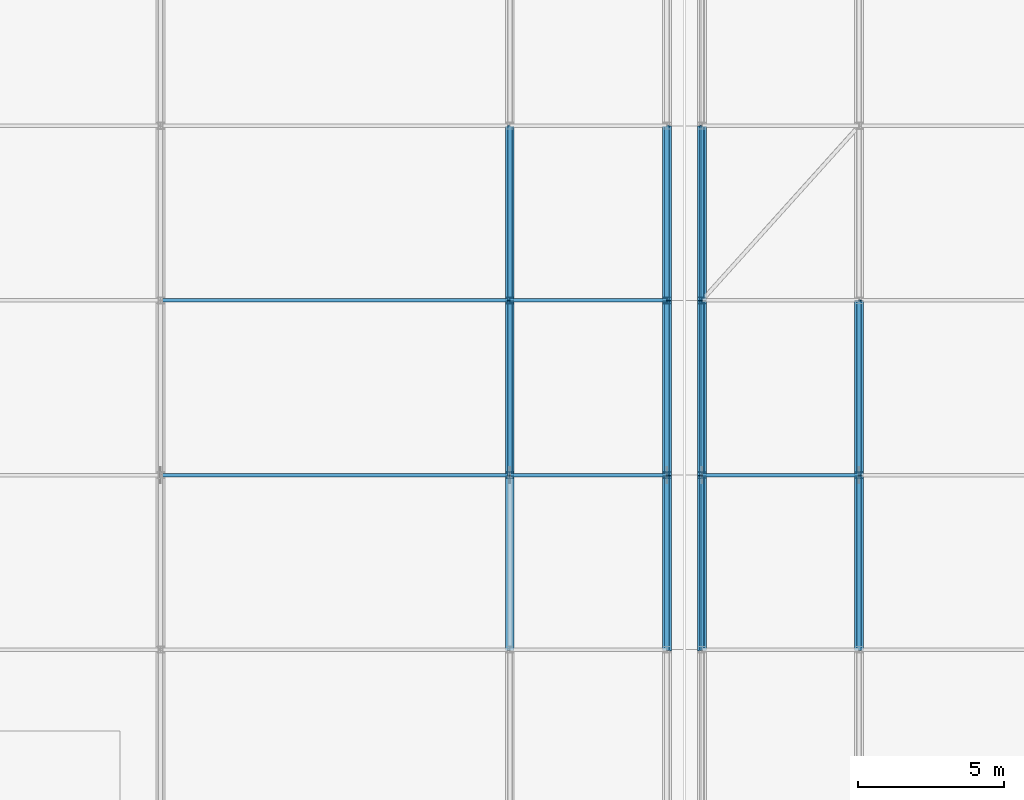
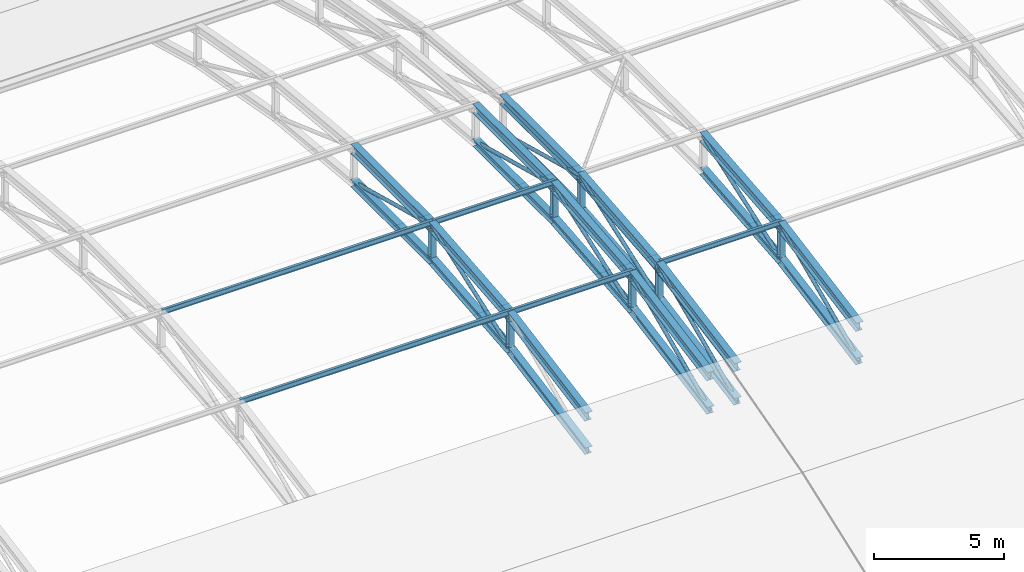
# One storey, part 96 of 204: 44 members.
"""IFC4 building model written with IfcOpenShell, lengths in metres."""

from ifc_helpers import new_model, si_unit, direction, frame, origin, origin_2d, place, context, subcontext, project, spatial, hollow_circle, i_section, extrude, material, material_profile, profile_set, type_object, element, save


model = new_model("IFC4")

# Units and contexts
model_context = context("Model", 3, precision=1e-05, world=origin(), true_north=direction((0.0, 1.0)))
body_context = subcontext(model_context, "Body", "Model", "MODEL_VIEW")
ifc_project = project(units=[si_unit("LENGTHUNIT", "METRE"), si_unit("AREAUNIT", "SQUARE_METRE"), si_unit("VOLUMEUNIT", "CUBIC_METRE"), si_unit("PLANEANGLEUNIT", "RADIAN"), si_unit("MASSUNIT", "GRAM", prefix="KILO")], contexts=[model_context])

# Site, building, storey
site_placement = place(None, origin())
site = spatial("IfcSite", under=ifc_project, at=site_placement, CompositionType="ELEMENT")
building_placement = place(site_placement, origin())
building = spatial("IfcBuilding", under=site, at=building_placement, Name="Zilviju Railside Exhibition Hall", CompositionType="ELEMENT")
storey_placement = place(building_placement, frame((0.0, 0.0, 21.0)))
storey = spatial("IfcBuildingStorey", under=building, at=storey_placement, Name="RF", CompositionType="ELEMENT", Elevation=21.0)

# Members
ifc_material = material(Name="Steel S355J2", Category="steel")
ifc_material_profile_1 = material_profile(ifc_material, hollow_circle(Radius=0.084228515625, WallThickness=0.008056640625, at=origin_2d()), Name="CHS 168.3x8.0")
ifc_profile_set_1 = profile_set([ifc_material_profile_1], Name="Steel S355J2")
member_type_1 = type_object("IfcMemberType", Name="TR-BR-CHS168", PredefinedType="BRACE", material=ifc_profile_set_1)
member_1_placement = place(storey_placement, frame((168.0, 18.0, -2.822265625), z_axis=(0.0, 0.94123307508, 0.337757751023), x_axis=(-1.0, 0.0, 0.0)))
element("IfcMember", 1, at=member_1_placement, inside=storey, type_object=member_type_1, Name="V1 Parabolic Arch Web Diagonal X=168.0 P4", PredefinedType="BRACE", context=body_context, shape_type="SweptSolid", body=[
    extrude(hollow_circle(Radius=0.084228515625, WallThickness=0.008056640625, at=origin_2d()), origin(), (0.0, 0.0, 1.0), 6.37451171875),
])
member_2_placement = place(storey_placement, frame((168.0, 24.0, -0.669189453125), z_axis=(0.0, 0.966240812345, -0.257640626762), x_axis=(-1.0, 0.0, 0.0)))
element("IfcMember", 2, at=member_2_placement, inside=storey, type_object=member_type_1, Name="V1 Parabolic Arch Web Diagonal X=168.0 P5", PredefinedType="BRACE", context=body_context, shape_type="SweptSolid", body=[
    extrude(hollow_circle(Radius=0.084228515625, WallThickness=0.008056640625, at=origin_2d()), origin(), (0.0, 0.0, 1.0), 6.209716796875),
])
member_3_placement = place(storey_placement, frame((173.39990234375, 12.0, -3.928466796875), z_axis=(0.0, 0.911563042822, 0.411160332425), x_axis=(-1.0, 0.0, 0.0)))
element("IfcMember", 3, at=member_3_placement, inside=storey, type_object=member_type_1, Name="V1 Parabolic Arch Web Diagonal X=173.4 P3", PredefinedType="BRACE", context=body_context, shape_type="SweptSolid", body=[
    extrude(hollow_circle(Radius=0.084228515625, WallThickness=0.008056640625, at=origin_2d()), origin(), (0.0, 0.0, 1.0), 6.58203125),
])
member_4_placement = place(storey_placement, frame((173.39990234375, 18.0, -2.822265625), z_axis=(0.0, 0.94123307508, 0.337757751023), x_axis=(-1.0, 0.0, 0.0)))
element("IfcMember", 4, at=member_4_placement, inside=storey, type_object=member_type_1, Name="V1 Parabolic Arch Web Diagonal X=173.4 P4", PredefinedType="BRACE", context=body_context, shape_type="SweptSolid", body=[
    extrude(hollow_circle(Radius=0.084228515625, WallThickness=0.008056640625, at=origin_2d()), origin(), (0.0, 0.0, 1.0), 6.37451171875),
])
member_5_placement = place(storey_placement, frame((173.39990234375, 24.0, -0.669189453125), z_axis=(0.0, 0.966240812345, -0.257640626762), x_axis=(-1.0, 0.0, 0.0)))
element("IfcMember", 5, at=member_5_placement, inside=storey, type_object=member_type_1, Name="V1 Parabolic Arch Web Diagonal X=173.4 P5", PredefinedType="BRACE", context=body_context, shape_type="SweptSolid", body=[
    extrude(hollow_circle(Radius=0.084228515625, WallThickness=0.008056640625, at=origin_2d()), origin(), (0.0, 0.0, 1.0), 6.209716796875),
])
member_6_placement = place(storey_placement, frame((174.60009765625, 12.0, -3.928466796875), z_axis=(0.0, 0.911563042822, 0.411160332425), x_axis=(-1.0, 0.0, 0.0)))
element("IfcMember", 6, at=member_6_placement, inside=storey, type_object=member_type_1, Name="V1 Parabolic Arch Web Diagonal X=174.6 P3", PredefinedType="BRACE", context=body_context, shape_type="SweptSolid", body=[
    extrude(hollow_circle(Radius=0.084228515625, WallThickness=0.008056640625, at=origin_2d()), origin(), (0.0, 0.0, 1.0), 6.58203125),
])
member_7_placement = place(storey_placement, frame((174.60009765625, 18.0, -2.822265625), z_axis=(0.0, 0.94123307508, 0.337757751023), x_axis=(-1.0, 0.0, 0.0)))
element("IfcMember", 7, at=member_7_placement, inside=storey, type_object=member_type_1, Name="V1 Parabolic Arch Web Diagonal X=174.6 P4", PredefinedType="BRACE", context=body_context, shape_type="SweptSolid", body=[
    extrude(hollow_circle(Radius=0.084228515625, WallThickness=0.008056640625, at=origin_2d()), origin(), (0.0, 0.0, 1.0), 6.37451171875),
])
member_8_placement = place(storey_placement, frame((174.60009765625, 24.0, -0.669189453125), z_axis=(0.0, 0.966240812345, -0.257640626762), x_axis=(-1.0, 0.0, 0.0)))
element("IfcMember", 8, at=member_8_placement, inside=storey, type_object=member_type_1, Name="V1 Parabolic Arch Web Diagonal X=174.6 P5", PredefinedType="BRACE", context=body_context, shape_type="SweptSolid", body=[
    extrude(hollow_circle(Radius=0.084228515625, WallThickness=0.008056640625, at=origin_2d()), origin(), (0.0, 0.0, 1.0), 6.209716796875),
])
member_9_placement = place(storey_placement, frame((180.0, 12.0, -3.928466796875), z_axis=(0.0, 0.911563042822, 0.411160332425), x_axis=(-1.0, 0.0, 0.0)))
element("IfcMember", 9, at=member_9_placement, inside=storey, type_object=member_type_1, Name="V1 Parabolic Arch Web Diagonal X=180.0 P3", PredefinedType="BRACE", context=body_context, shape_type="SweptSolid", body=[
    extrude(hollow_circle(Radius=0.084228515625, WallThickness=0.008056640625, at=origin_2d()), origin(), (0.0, 0.0, 1.0), 6.58203125),
])
member_10_placement = place(storey_placement, frame((180.0, 18.0, -2.822265625), z_axis=(0.0, 0.94123307508, 0.337757751023), x_axis=(-1.0, 0.0, 0.0)))
element("IfcMember", 10, at=member_10_placement, inside=storey, type_object=member_type_1, Name="V1 Parabolic Arch Web Diagonal X=180.0 P4", PredefinedType="BRACE", context=body_context, shape_type="SweptSolid", body=[
    extrude(hollow_circle(Radius=0.084228515625, WallThickness=0.008056640625, at=origin_2d()), origin(), (0.0, 0.0, 1.0), 6.37451171875),
])
ifc_material_profile_2 = material_profile(ifc_material, i_section(OverallWidth=0.300048828125, OverallDepth=0.360107421875, WebThickness=0.012451171875, FlangeThickness=0.0224609375, at=origin_2d()), Name="HEB 360")
ifc_profile_set_2 = profile_set([ifc_material_profile_2], Name="Steel S355J2")
member_type_2 = type_object("IfcMemberType", Name="TR-CH-HEB360", PredefinedType="CHORD", material=ifc_profile_set_2)
member_11_placement = place(storey_placement, frame((168.0, 12.0, -3.928466796875), z_axis=(0.0, 0.98342578549, 0.18131112606), x_axis=(-1.0, 0.0, 0.0)))
element("IfcMember", 11, at=member_11_placement, inside=storey, type_object=member_type_2, Name="V1 Parabolic Arch Bottom Chord X=168.0 P3", PredefinedType="CHORD", context=body_context, shape_type="SweptSolid", body=[
    extrude(i_section(OverallWidth=0.300048828125, OverallDepth=0.360107421875, WebThickness=0.012451171875, FlangeThickness=0.0224609375, at=origin_2d()), origin(), (0.0, 0.0, 1.0), 6.10107421875),
])
member_12_placement = place(storey_placement, frame((168.0, 18.0, -2.822265625), z_axis=(0.0, 0.995776144786, 0.091814320641), x_axis=(-1.0, 0.0, 0.0)))
element("IfcMember", 12, at=member_12_placement, inside=storey, type_object=member_type_2, Name="V1 Parabolic Arch Bottom Chord X=168.0 P4", PredefinedType="CHORD", context=body_context, shape_type="SweptSolid", body=[
    extrude(i_section(OverallWidth=0.300048828125, OverallDepth=0.360107421875, WebThickness=0.012451171875, FlangeThickness=0.0224609375, at=origin_2d()), origin(), (0.0, 0.0, 1.0), 6.025390625),
])
member_13_placement = place(storey_placement, frame((168.0, 24.0, -2.26904296875), z_axis=(0.0, 1.0, 0.0), x_axis=(-1.0, 0.0, 0.0)))
element("IfcMember", 13, at=member_13_placement, inside=storey, type_object=member_type_2, Name="V1 Parabolic Arch Bottom Chord X=168.0 P5", PredefinedType="CHORD", context=body_context, shape_type="SweptSolid", body=[
    extrude(i_section(OverallWidth=0.300048828125, OverallDepth=0.360107421875, WebThickness=0.012451171875, FlangeThickness=0.0224609375, at=origin_2d()), origin(), (0.0, 0.0, 1.0), 6.0),
])
member_14_placement = place(storey_placement, frame((173.39990234375, 12.0, -3.928466796875), z_axis=(0.0, 0.98342578549, 0.18131112606), x_axis=(-1.0, 0.0, 0.0)))
element("IfcMember", 14, at=member_14_placement, inside=storey, type_object=member_type_2, Name="V1 Parabolic Arch Bottom Chord X=173.4 P3", PredefinedType="CHORD", context=body_context, shape_type="SweptSolid", body=[
    extrude(i_section(OverallWidth=0.300048828125, OverallDepth=0.360107421875, WebThickness=0.012451171875, FlangeThickness=0.0224609375, at=origin_2d()), origin(), (0.0, 0.0, 1.0), 6.10107421875),
])
member_15_placement = place(storey_placement, frame((173.39990234375, 18.0, -2.822265625), z_axis=(0.0, 0.995776144786, 0.091814320641), x_axis=(-1.0, 0.0, 0.0)))
element("IfcMember", 15, at=member_15_placement, inside=storey, type_object=member_type_2, Name="V1 Parabolic Arch Bottom Chord X=173.4 P4", PredefinedType="CHORD", context=body_context, shape_type="SweptSolid", body=[
    extrude(i_section(OverallWidth=0.300048828125, OverallDepth=0.360107421875, WebThickness=0.012451171875, FlangeThickness=0.0224609375, at=origin_2d()), origin(), (0.0, 0.0, 1.0), 6.025390625),
])
member_16_placement = place(storey_placement, frame((173.39990234375, 24.0, -2.26904296875), z_axis=(0.0, 1.0, 0.0), x_axis=(-1.0, 0.0, 0.0)))
element("IfcMember", 16, at=member_16_placement, inside=storey, type_object=member_type_2, Name="V1 Parabolic Arch Bottom Chord X=173.4 P5", PredefinedType="CHORD", context=body_context, shape_type="SweptSolid", body=[
    extrude(i_section(OverallWidth=0.300048828125, OverallDepth=0.360107421875, WebThickness=0.012451171875, FlangeThickness=0.0224609375, at=origin_2d()), origin(), (0.0, 0.0, 1.0), 6.0),
])
member_17_placement = place(storey_placement, frame((174.60009765625, 12.0, -3.928466796875), z_axis=(0.0, 0.98342578549, 0.18131112606), x_axis=(-1.0, 0.0, 0.0)))
element("IfcMember", 17, at=member_17_placement, inside=storey, type_object=member_type_2, Name="V1 Parabolic Arch Bottom Chord X=174.6 P3", PredefinedType="CHORD", context=body_context, shape_type="SweptSolid", body=[
    extrude(i_section(OverallWidth=0.300048828125, OverallDepth=0.360107421875, WebThickness=0.012451171875, FlangeThickness=0.0224609375, at=origin_2d()), origin(), (0.0, 0.0, 1.0), 6.10107421875),
])
member_18_placement = place(storey_placement, frame((174.60009765625, 18.0, -2.822265625), z_axis=(0.0, 0.995776144786, 0.091814320641), x_axis=(-1.0, 0.0, 0.0)))
element("IfcMember", 18, at=member_18_placement, inside=storey, type_object=member_type_2, Name="V1 Parabolic Arch Bottom Chord X=174.6 P4", PredefinedType="CHORD", context=body_context, shape_type="SweptSolid", body=[
    extrude(i_section(OverallWidth=0.300048828125, OverallDepth=0.360107421875, WebThickness=0.012451171875, FlangeThickness=0.0224609375, at=origin_2d()), origin(), (0.0, 0.0, 1.0), 6.025390625),
])
member_19_placement = place(storey_placement, frame((174.60009765625, 24.0, -2.26904296875), z_axis=(0.0, 1.0, 0.0), x_axis=(-1.0, 0.0, 0.0)))
element("IfcMember", 19, at=member_19_placement, inside=storey, type_object=member_type_2, Name="V1 Parabolic Arch Bottom Chord X=174.6 P5", PredefinedType="CHORD", context=body_context, shape_type="SweptSolid", body=[
    extrude(i_section(OverallWidth=0.300048828125, OverallDepth=0.360107421875, WebThickness=0.012451171875, FlangeThickness=0.0224609375, at=origin_2d()), origin(), (0.0, 0.0, 1.0), 6.0),
])
member_20_placement = place(storey_placement, frame((180.0, 12.0, -3.928466796875), z_axis=(0.0, 0.98342578549, 0.18131112606), x_axis=(-1.0, 0.0, 0.0)))
element("IfcMember", 20, at=member_20_placement, inside=storey, type_object=member_type_2, Name="V1 Parabolic Arch Bottom Chord X=180.0 P3", PredefinedType="CHORD", context=body_context, shape_type="SweptSolid", body=[
    extrude(i_section(OverallWidth=0.300048828125, OverallDepth=0.360107421875, WebThickness=0.012451171875, FlangeThickness=0.0224609375, at=origin_2d()), origin(), (0.0, 0.0, 1.0), 6.10107421875),
])
member_21_placement = place(storey_placement, frame((180.0, 18.0, -2.822265625), z_axis=(0.0, 0.995776144786, 0.091814320641), x_axis=(-1.0, 0.0, 0.0)))
element("IfcMember", 21, at=member_21_placement, inside=storey, type_object=member_type_2, Name="V1 Parabolic Arch Bottom Chord X=180.0 P4", PredefinedType="CHORD", context=body_context, shape_type="SweptSolid", body=[
    extrude(i_section(OverallWidth=0.300048828125, OverallDepth=0.360107421875, WebThickness=0.012451171875, FlangeThickness=0.0224609375, at=origin_2d()), origin(), (0.0, 0.0, 1.0), 6.025390625),
])
ifc_material_profile_3 = material_profile(ifc_material, i_section(OverallWidth=0.300048828125, OverallDepth=0.449951171875, WebThickness=0.013916015625, FlangeThickness=0.02587890625, at=origin_2d()), Name="HEB 450")
ifc_profile_set_3 = profile_set([ifc_material_profile_3], Name="Steel S355J2")
member_type_3 = type_object("IfcMemberType", Name="TR-CH-HEB450", PredefinedType="CHORD", material=ifc_profile_set_3)
member_22_placement = place(storey_placement, frame((168.0, 12.0, -2.328369140625), z_axis=(0.0, 0.98342578549, 0.18131112606), x_axis=(-1.0, 0.0, 0.0)))
element("IfcMember", 22, at=member_22_placement, inside=storey, type_object=member_type_3, Name="V1 Parabolic Arch Top Chord X=168.0 P3", PredefinedType="CHORD", context=body_context, shape_type="SweptSolid", body=[
    extrude(i_section(OverallWidth=0.300048828125, OverallDepth=0.449951171875, WebThickness=0.013916015625, FlangeThickness=0.02587890625, at=origin_2d()), origin(), (0.0, 0.0, 1.0), 6.10107421875),
])
member_23_placement = place(storey_placement, frame((168.0, 18.0, -1.22216796875), z_axis=(0.0, 0.99577984843, 0.091774143746), x_axis=(-1.0, 0.0, 0.0)))
element("IfcMember", 23, at=member_23_placement, inside=storey, type_object=member_type_3, Name="V1 Parabolic Arch Top Chord X=168.0 P4", PredefinedType="CHORD", context=body_context, shape_type="SweptSolid", body=[
    extrude(i_section(OverallWidth=0.300048828125, OverallDepth=0.449951171875, WebThickness=0.013916015625, FlangeThickness=0.02587890625, at=origin_2d()), origin(), (0.0, 0.0, 1.0), 6.025390625),
])
member_24_placement = place(storey_placement, frame((168.0, 24.0, -0.669189453125), z_axis=(0.0, 1.0, 0.0), x_axis=(-1.0, 0.0, 0.0)))
element("IfcMember", 24, at=member_24_placement, inside=storey, type_object=member_type_3, Name="V1 Parabolic Arch Top Chord X=168.0 P5", PredefinedType="CHORD", context=body_context, shape_type="SweptSolid", body=[
    extrude(i_section(OverallWidth=0.300048828125, OverallDepth=0.449951171875, WebThickness=0.013916015625, FlangeThickness=0.02587890625, at=origin_2d()), origin(), (0.0, 0.0, 1.0), 6.0),
])
member_25_placement = place(storey_placement, frame((173.39990234375, 12.0, -2.328369140625), z_axis=(0.0, 0.98342578549, 0.18131112606), x_axis=(-1.0, 0.0, 0.0)))
element("IfcMember", 25, at=member_25_placement, inside=storey, type_object=member_type_3, Name="V1 Parabolic Arch Top Chord X=173.4 P3", PredefinedType="CHORD", context=body_context, shape_type="SweptSolid", body=[
    extrude(i_section(OverallWidth=0.300048828125, OverallDepth=0.449951171875, WebThickness=0.013916015625, FlangeThickness=0.02587890625, at=origin_2d()), origin(), (0.0, 0.0, 1.0), 6.10107421875),
])
member_26_placement = place(storey_placement, frame((173.39990234375, 18.0, -1.22216796875), z_axis=(0.0, 0.99577984843, 0.091774143746), x_axis=(-1.0, 0.0, 0.0)))
element("IfcMember", 26, at=member_26_placement, inside=storey, type_object=member_type_3, Name="V1 Parabolic Arch Top Chord X=173.4 P4", PredefinedType="CHORD", context=body_context, shape_type="SweptSolid", body=[
    extrude(i_section(OverallWidth=0.300048828125, OverallDepth=0.449951171875, WebThickness=0.013916015625, FlangeThickness=0.02587890625, at=origin_2d()), origin(), (0.0, 0.0, 1.0), 6.025390625),
])
member_27_placement = place(storey_placement, frame((173.39990234375, 24.0, -0.669189453125), z_axis=(0.0, 1.0, 0.0), x_axis=(-1.0, 0.0, 0.0)))
element("IfcMember", 27, at=member_27_placement, inside=storey, type_object=member_type_3, Name="V1 Parabolic Arch Top Chord X=173.4 P5", PredefinedType="CHORD", context=body_context, shape_type="SweptSolid", body=[
    extrude(i_section(OverallWidth=0.300048828125, OverallDepth=0.449951171875, WebThickness=0.013916015625, FlangeThickness=0.02587890625, at=origin_2d()), origin(), (0.0, 0.0, 1.0), 6.0),
])
member_28_placement = place(storey_placement, frame((174.60009765625, 12.0, -2.328369140625), z_axis=(0.0, 0.98342578549, 0.18131112606), x_axis=(-1.0, 0.0, 0.0)))
element("IfcMember", 28, at=member_28_placement, inside=storey, type_object=member_type_3, Name="V1 Parabolic Arch Top Chord X=174.6 P3", PredefinedType="CHORD", context=body_context, shape_type="SweptSolid", body=[
    extrude(i_section(OverallWidth=0.300048828125, OverallDepth=0.449951171875, WebThickness=0.013916015625, FlangeThickness=0.02587890625, at=origin_2d()), origin(), (0.0, 0.0, 1.0), 6.10107421875),
])
member_29_placement = place(storey_placement, frame((174.60009765625, 18.0, -1.22216796875), z_axis=(0.0, 0.99577984843, 0.091774143746), x_axis=(-1.0, 0.0, 0.0)))
element("IfcMember", 29, at=member_29_placement, inside=storey, type_object=member_type_3, Name="V1 Parabolic Arch Top Chord X=174.6 P4", PredefinedType="CHORD", context=body_context, shape_type="SweptSolid", body=[
    extrude(i_section(OverallWidth=0.300048828125, OverallDepth=0.449951171875, WebThickness=0.013916015625, FlangeThickness=0.02587890625, at=origin_2d()), origin(), (0.0, 0.0, 1.0), 6.025390625),
])
member_30_placement = place(storey_placement, frame((174.60009765625, 24.0, -0.669189453125), z_axis=(0.0, 1.0, 0.0), x_axis=(-1.0, 0.0, 0.0)))
element("IfcMember", 30, at=member_30_placement, inside=storey, type_object=member_type_3, Name="V1 Parabolic Arch Top Chord X=174.6 P5", PredefinedType="CHORD", context=body_context, shape_type="SweptSolid", body=[
    extrude(i_section(OverallWidth=0.300048828125, OverallDepth=0.449951171875, WebThickness=0.013916015625, FlangeThickness=0.02587890625, at=origin_2d()), origin(), (0.0, 0.0, 1.0), 6.0),
])
member_31_placement = place(storey_placement, frame((180.0, 12.0, -2.328369140625), z_axis=(0.0, 0.98342578549, 0.18131112606), x_axis=(-1.0, 0.0, 0.0)))
element("IfcMember", 31, at=member_31_placement, inside=storey, type_object=member_type_3, Name="V1 Parabolic Arch Top Chord X=180.0 P3", PredefinedType="CHORD", context=body_context, shape_type="SweptSolid", body=[
    extrude(i_section(OverallWidth=0.300048828125, OverallDepth=0.449951171875, WebThickness=0.013916015625, FlangeThickness=0.02587890625, at=origin_2d()), origin(), (0.0, 0.0, 1.0), 6.10107421875),
])
member_32_placement = place(storey_placement, frame((180.0, 18.0, -1.22216796875), z_axis=(0.0, 0.99577984843, 0.091774143746), x_axis=(-1.0, 0.0, 0.0)))
element("IfcMember", 32, at=member_32_placement, inside=storey, type_object=member_type_3, Name="V1 Parabolic Arch Top Chord X=180.0 P4", PredefinedType="CHORD", context=body_context, shape_type="SweptSolid", body=[
    extrude(i_section(OverallWidth=0.300048828125, OverallDepth=0.449951171875, WebThickness=0.013916015625, FlangeThickness=0.02587890625, at=origin_2d()), origin(), (0.0, 0.0, 1.0), 6.025390625),
])
ifc_material_profile_4 = material_profile(ifc_material, i_section(OverallWidth=0.239990234375, OverallDepth=0.22998046875, WebThickness=0.007568359375, FlangeThickness=0.011962890625, at=origin_2d()), Name="HEA 240")
ifc_profile_set_4 = profile_set([ifc_material_profile_4], Name="Steel S355J2")
member_type_4 = type_object("IfcMemberType", Name="TR-POST-HEA240", PredefinedType="POST", material=ifc_profile_set_4)
member_33_placement = place(storey_placement, frame((168.0, 18.0, -2.822265625), z_axis=(0.0, 0.0, 1.0), x_axis=(1.0, 0.0, 0.0)))
element("IfcMember", 33, at=member_33_placement, inside=storey, type_object=member_type_4, Name="V1 Parabolic Arch Web Post X=168.0 N3", PredefinedType="POST", context=body_context, shape_type="SweptSolid", body=[
    extrude(i_section(OverallWidth=0.239990234375, OverallDepth=0.22998046875, WebThickness=0.007568359375, FlangeThickness=0.011962890625, at=origin_2d()), origin(), (0.0, 0.0, 1.0), 1.60009765625),
])
member_34_placement = place(storey_placement, frame((168.0, 24.0, -2.26904296875), z_axis=(0.0, 0.0, 1.0), x_axis=(1.0, 0.0, 0.0)))
element("IfcMember", 34, at=member_34_placement, inside=storey, type_object=member_type_4, Name="V1 Parabolic Arch Web Post X=168.0 N4", PredefinedType="POST", context=body_context, shape_type="SweptSolid", body=[
    extrude(i_section(OverallWidth=0.239990234375, OverallDepth=0.22998046875, WebThickness=0.007568359375, FlangeThickness=0.011962890625, at=origin_2d()), origin(), (0.0, 0.0, 1.0), 1.599853515625),
])
member_35_placement = place(storey_placement, frame((173.39990234375, 18.0, -2.822265625), z_axis=(0.0, 0.0, 1.0), x_axis=(1.0, 0.0, 0.0)))
element("IfcMember", 35, at=member_35_placement, inside=storey, type_object=member_type_4, Name="V1 Parabolic Arch Web Post X=173.4 N3", PredefinedType="POST", context=body_context, shape_type="SweptSolid", body=[
    extrude(i_section(OverallWidth=0.239990234375, OverallDepth=0.22998046875, WebThickness=0.007568359375, FlangeThickness=0.011962890625, at=origin_2d()), origin(), (0.0, 0.0, 1.0), 1.60009765625),
])
member_36_placement = place(storey_placement, frame((173.39990234375, 24.0, -2.26904296875), z_axis=(0.0, 0.0, 1.0), x_axis=(1.0, 0.0, 0.0)))
element("IfcMember", 36, at=member_36_placement, inside=storey, type_object=member_type_4, Name="V1 Parabolic Arch Web Post X=173.4 N4", PredefinedType="POST", context=body_context, shape_type="SweptSolid", body=[
    extrude(i_section(OverallWidth=0.239990234375, OverallDepth=0.22998046875, WebThickness=0.007568359375, FlangeThickness=0.011962890625, at=origin_2d()), origin(), (0.0, 0.0, 1.0), 1.599853515625),
])
member_37_placement = place(storey_placement, frame((174.60009765625, 18.0, -2.822265625), z_axis=(0.0, 0.0, 1.0), x_axis=(1.0, 0.0, 0.0)))
element("IfcMember", 37, at=member_37_placement, inside=storey, type_object=member_type_4, Name="V1 Parabolic Arch Web Post X=174.6 N3", PredefinedType="POST", context=body_context, shape_type="SweptSolid", body=[
    extrude(i_section(OverallWidth=0.239990234375, OverallDepth=0.22998046875, WebThickness=0.007568359375, FlangeThickness=0.011962890625, at=origin_2d()), origin(), (0.0, 0.0, 1.0), 1.60009765625),
])
member_38_placement = place(storey_placement, frame((174.60009765625, 24.0, -2.26904296875), z_axis=(0.0, 0.0, 1.0), x_axis=(1.0, 0.0, 0.0)))
element("IfcMember", 38, at=member_38_placement, inside=storey, type_object=member_type_4, Name="V1 Parabolic Arch Web Post X=174.6 N4", PredefinedType="POST", context=body_context, shape_type="SweptSolid", body=[
    extrude(i_section(OverallWidth=0.239990234375, OverallDepth=0.22998046875, WebThickness=0.007568359375, FlangeThickness=0.011962890625, at=origin_2d()), origin(), (0.0, 0.0, 1.0), 1.599853515625),
])
member_39_placement = place(storey_placement, frame((180.0, 18.0, -2.822265625), z_axis=(0.0, 0.0, 1.0), x_axis=(1.0, 0.0, 0.0)))
element("IfcMember", 39, at=member_39_placement, inside=storey, type_object=member_type_4, Name="V1 Parabolic Arch Web Post X=180.0 N3", PredefinedType="POST", context=body_context, shape_type="SweptSolid", body=[
    extrude(i_section(OverallWidth=0.239990234375, OverallDepth=0.22998046875, WebThickness=0.007568359375, FlangeThickness=0.011962890625, at=origin_2d()), origin(), (0.0, 0.0, 1.0), 1.60009765625),
])
ifc_material_profile_5 = material_profile(ifc_material, i_section(OverallWidth=0.1201171875, OverallDepth=0.239990234375, WebThickness=0.006103515625, FlangeThickness=0.009765625, at=origin_2d()), Name="IPE 240")
ifc_profile_set_5 = profile_set([ifc_material_profile_5], Name="Steel S355J2")
member_type_5 = type_object("IfcMemberType", Name="TR-PUR-IPE240", PredefinedType="PURLIN", material=ifc_profile_set_5)
for number, where, z_axis, x_axis, name in (
    (40, (156.0, 18.0, -1.0771484375), (1.0, 0.0, 0.0), (0.0, 1.0, 0.0), "V1 Barrel Vault Roof Purlin Y=18.0 (156.0..168.0)"),
    (41, (156.0, 24.0, -0.515625), (1.0, 0.0, 0.0), (0.0, 1.0, 0.0), "V1 Barrel Vault Roof Purlin Y=24.0 (156.0..168.0)"),
):
    element("IfcMember", number, at=place(storey_placement, frame(where, z_axis=z_axis, x_axis=x_axis)), inside=storey, type_object=member_type_5, Name=name, PredefinedType="PURLIN", context=body_context, shape_type="SweptSolid", body=[
        extrude(i_section(OverallWidth=0.1201171875, OverallDepth=0.239990234375, WebThickness=0.006103515625, FlangeThickness=0.009765625, at=origin_2d()), origin(), (0.0, 0.0, 1.0), 12.0),
    ])
for number, where, z_axis, x_axis, name in (
    (42, (168.0, 18.0, -1.0771484375), (1.0, 0.0, 0.0), (0.0, 1.0, 0.0), "V1 Barrel Vault Roof Purlin Y=18.0 (168.0..173.4)"),
    (43, (168.0, 24.0, -0.515625), (1.0, 0.0, 0.0), (0.0, 1.0, 0.0), "V1 Barrel Vault Roof Purlin Y=24.0 (168.0..173.4)"),
    (44, (174.60009765625, 18.0, -1.0771484375), (1.0, 0.0, 0.0), (0.0, 1.0, 0.0), "V1 Barrel Vault Roof Purlin Y=18.0 (174.6..180.0)"),
):
    element("IfcMember", number, at=place(storey_placement, frame(where, z_axis=z_axis, x_axis=x_axis)), inside=storey, type_object=member_type_5, Name=name, PredefinedType="PURLIN", context=body_context, shape_type="SweptSolid", body=[
        extrude(i_section(OverallWidth=0.1201171875, OverallDepth=0.239990234375, WebThickness=0.006103515625, FlangeThickness=0.009765625, at=origin_2d()), origin(), (0.0, 0.0, 1.0), 5.39990234375),
    ])

save(model, "model.ifc")
